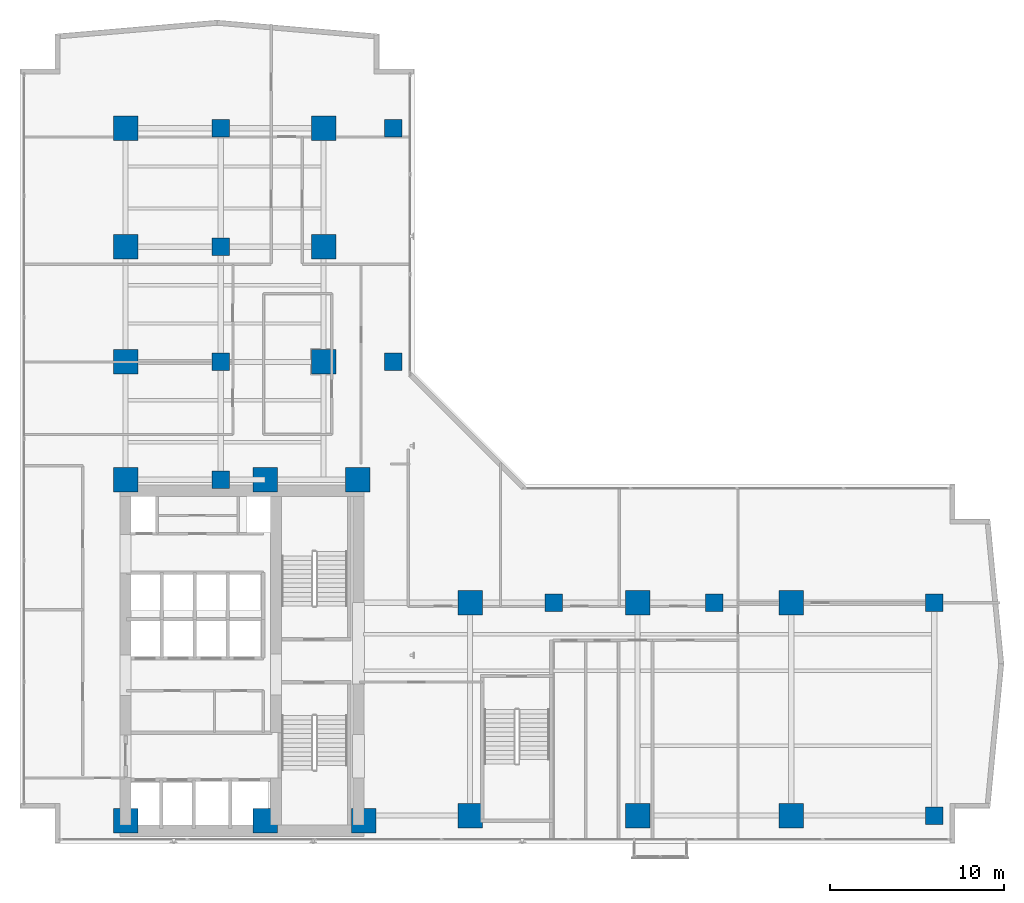
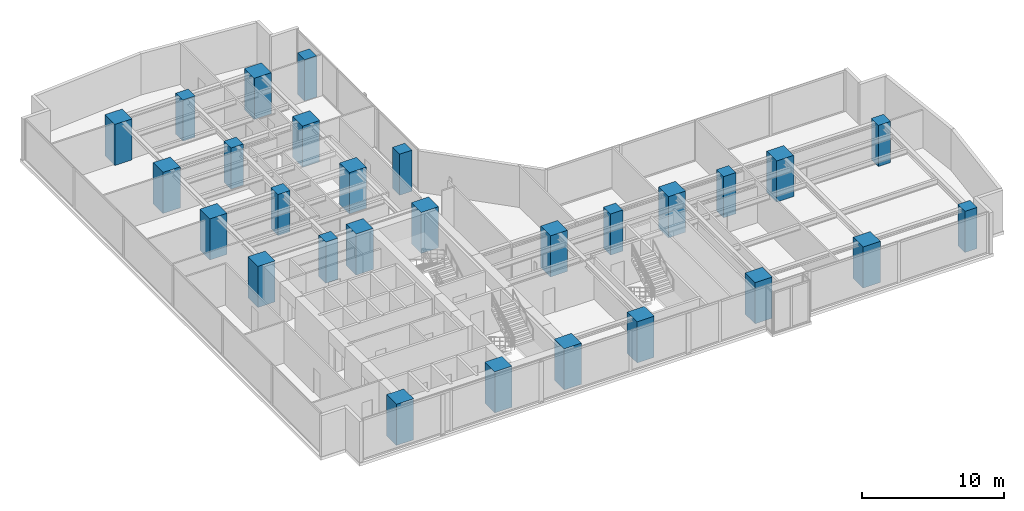
# One storey, part 1 of 27: 28 columns.
"""IFC4 building model written with IfcOpenShell, lengths in metres."""

from ifc_helpers import new_model, si_unit, direction, frame, origin, origin_2d, place, context, subcontext, project, spatial, rectangle, extrude, material, material_profile, profile_set, type_object, element, save


model = new_model("IFC4")

# Units and contexts
model_context = context("Model", 3, precision=1e-05, world=origin(), true_north=direction((0.0, 1.0)))
body_context = subcontext(model_context, "Body", "Model", "MODEL_VIEW")
ifc_project = project(units=[si_unit("LENGTHUNIT", "METRE"), si_unit("AREAUNIT", "SQUARE_METRE"), si_unit("VOLUMEUNIT", "CUBIC_METRE"), si_unit("PLANEANGLEUNIT", "RADIAN"), si_unit("MASSUNIT", "GRAM", prefix="KILO")], contexts=[model_context])

# Site, building, storey
site_placement = place(None, origin())
site = spatial("IfcSite", under=ifc_project, at=site_placement, CompositionType="ELEMENT")
building_placement = place(site_placement, origin())
building = spatial("IfcBuilding", under=site, at=building_placement, Name="Kolvaren Waterfront Exchange", CompositionType="ELEMENT")
storey_placement = place(building_placement, frame((0.0, 0.0, 118.300048828125)))
storey = spatial("IfcBuildingStorey", under=building, at=storey_placement, Name="L30", CompositionType="ELEMENT", Elevation=118.300048828125)

# Columns
ifc_material = material(Name="Concrete C60/75", Category="concrete")
ifc_material_profile_1 = material_profile(ifc_material, rectangle(XDim=1.0, YDim=1.0, at=origin_2d()), Name="RC-COL-1000x1000")
ifc_profile_set_1 = profile_set([ifc_material_profile_1], Name="Concrete C60/75")
column_type_1 = type_object("IfcColumnType", Name="STR-COL-1000-C60", PredefinedType="COLUMN", material=ifc_profile_set_1)
for number, where, z_axis, x_axis, name in (
    (1, (53.800048828125, 5.199951171875, 0.0), (0.0, 0.0, 1.0), (1.0, 0.0, 0.0), "L30 column ZC01"),
    (2, (53.800048828125, 17.39990234375, 0.0), (0.0, 0.0, 1.0), (1.0, 0.0, 0.0), "L30 column ZC02"),
    (3, (22.800048828125, 31.199951171875, 0.0), (0.0, 0.0, 1.0), (1.0, 0.0, 0.0), "L30 column ZC05"),
    (4, (22.800048828125, 44.60009765625, 0.0), (0.0, 0.0, 1.0), (1.0, 0.0, 0.0), "L30 column ZC06"),
    (5, (12.89990234375, 24.449951171875, 0.0), (0.0, 0.0, 1.0), (1.0, 0.0, 0.0), "L30 column TC01"),
    (6, (12.89990234375, 31.199951171875, 0.0), (0.0, 0.0, 1.0), (1.0, 0.0, 0.0), "L30 column TC02"),
    (7, (12.89990234375, 37.800048828125, 0.0), (0.0, 0.0, 1.0), (1.0, 0.0, 0.0), "L30 column TC03"),
    (8, (12.89990234375, 44.60009765625, 0.0), (0.0, 0.0, 1.0), (1.0, 0.0, 0.0), "L30 column TC04"),
    (9, (32.0, 17.39990234375, 0.0), (0.0, 0.0, 1.0), (1.0, 0.0, 0.0), "L30 column TC05"),
    (10, (41.199951171875, 17.39990234375, 0.0), (0.0, 0.0, 1.0), (1.0, 0.0, 0.0), "L30 column TC06"),
):
    element("IfcColumn", number, at=place(storey_placement, frame(where, z_axis=z_axis, x_axis=x_axis)), inside=storey, type_object=column_type_1, Name=name, PredefinedType="COLUMN", context=body_context, shape_type="SweptSolid", body=[
        extrude(rectangle(XDim=1.0, YDim=1.0, at=origin_2d()), origin(), (0.0, 0.0, 1.0), 3.5400390625),
    ])
ifc_material_profile_2 = material_profile(ifc_material, rectangle(XDim=1.39990234375, YDim=1.39990234375, at=origin_2d()), Name="RC-COL-1400x1400")
ifc_profile_set_2 = profile_set([ifc_material_profile_2], Name="Concrete C60/75")
column_type_2 = type_object("IfcColumnType", Name="STR-COL-1400-C60", PredefinedType="COLUMN", material=ifc_profile_set_2)
for number, where, z_axis, x_axis, name in (
    (11, (7.449951171875, 4.89990234375, 0.0), (0.0, 0.0, 1.0), (1.0, 0.0, 0.0), "L30 column MC01"),
    (12, (15.449951171875, 4.89990234375, 0.0), (0.0, 0.0, 1.0), (1.0, 0.0, 0.0), "L30 column MC02"),
    (13, (21.10009765625, 4.89990234375, 0.0), (0.0, 0.0, 1.0), (1.0, 0.0, 0.0), "L30 column MC03"),
    (14, (7.449951171875, 24.449951171875, 0.0), (0.0, 0.0, 1.0), (1.0, 0.0, 0.0), "L30 column MC04"),
    (15, (15.449951171875, 24.449951171875, 0.0), (0.0, 0.0, 1.0), (1.0, 0.0, 0.0), "L30 column MC05"),
    (16, (20.75, 24.449951171875, 0.0), (0.0, 0.0, 1.0), (1.0, 0.0, 0.0), "L30 column MC06"),
    (17, (7.449951171875, 31.199951171875, 0.0), (0.0, 0.0, 1.0), (1.0, 0.0, 0.0), "L30 column NC01"),
    (18, (7.449951171875, 37.800048828125, 0.0), (0.0, 0.0, 1.0), (1.0, 0.0, 0.0), "L30 column NC02"),
    (19, (7.449951171875, 44.60009765625, 0.0), (0.0, 0.0, 1.0), (1.0, 0.0, 0.0), "L30 column NC03"),
    (20, (18.800048828125, 31.199951171875, 0.0), (0.0, 0.0, 1.0), (1.0, 0.0, 0.0), "L30 column NC04"),
    (21, (18.800048828125, 37.800048828125, 0.0), (0.0, 0.0, 1.0), (1.0, 0.0, 0.0), "L30 column NC05"),
    (22, (18.800048828125, 44.60009765625, 0.0), (0.0, 0.0, 1.0), (1.0, 0.0, 0.0), "L30 column NC06"),
    (23, (27.199951171875, 5.199951171875, 0.0), (0.0, 0.0, 1.0), (1.0, 0.0, 0.0), "L30 column EC01"),
    (24, (36.800048828125, 5.199951171875, 0.0), (0.0, 0.0, 1.0), (1.0, 0.0, 0.0), "L30 column EC02"),
    (25, (45.60009765625, 5.199951171875, 0.0), (0.0, 0.0, 1.0), (1.0, 0.0, 0.0), "L30 column EC03"),
    (26, (27.199951171875, 17.39990234375, 0.0), (0.0, 0.0, 1.0), (1.0, 0.0, 0.0), "L30 column EC04"),
    (27, (36.800048828125, 17.39990234375, 0.0), (0.0, 0.0, 1.0), (1.0, 0.0, 0.0), "L30 column EC05"),
    (28, (45.60009765625, 17.39990234375, 0.0), (0.0, 0.0, 1.0), (1.0, 0.0, 0.0), "L30 column EC06"),
):
    element("IfcColumn", number, at=place(storey_placement, frame(where, z_axis=z_axis, x_axis=x_axis)), inside=storey, type_object=column_type_2, Name=name, PredefinedType="COLUMN", context=body_context, shape_type="SweptSolid", body=[
        extrude(rectangle(XDim=1.39990234375, YDim=1.39990234375, at=origin_2d()), origin(), (0.0, 0.0, 1.0), 3.5400390625),
    ])

save(model, "model.ifc")
